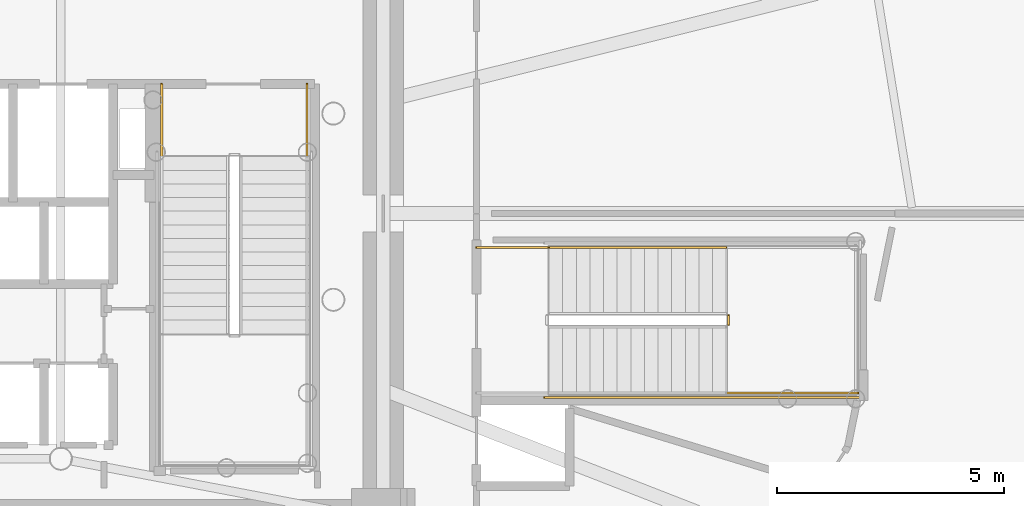
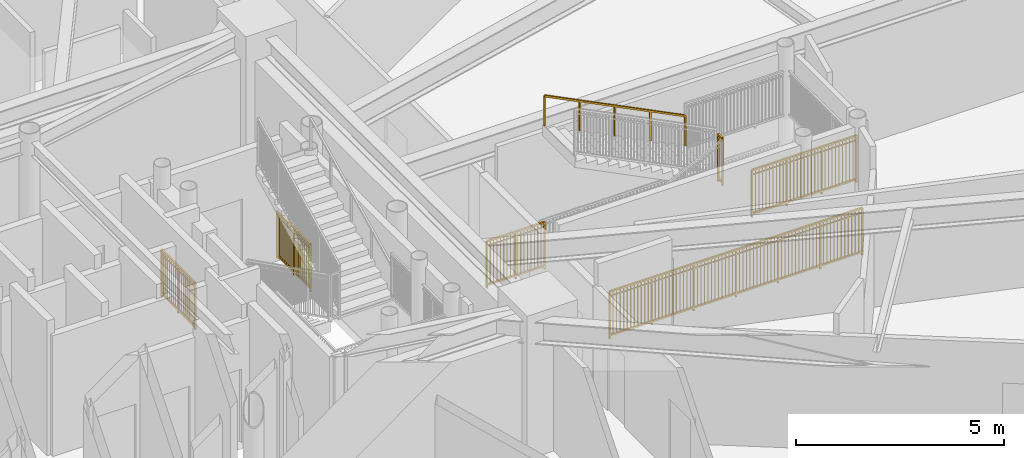
# One storey, part 27 of 29: 7 railings.
"""IFC4 building model written with IfcOpenShell, lengths in metres."""

from ifc_helpers import new_model, si_unit, direction, frame, origin, origin_2d, place, context, subcontext, project, spatial, rectangle, extrude, source, transform, mapped, material, type_object, element, save


model = new_model("IFC4")

# Units and contexts
model_context = context("Model", 3, precision=1e-05, world=origin(), true_north=direction((0.0, 1.0)))
body_context = subcontext(model_context, "Body", "Model", "MODEL_VIEW")
ifc_project = project(units=[si_unit("LENGTHUNIT", "METRE"), si_unit("AREAUNIT", "SQUARE_METRE"), si_unit("VOLUMEUNIT", "CUBIC_METRE"), si_unit("PLANEANGLEUNIT", "RADIAN"), si_unit("MASSUNIT", "GRAM", prefix="KILO")], contexts=[model_context])

# Site, building, storey
site_placement = place(None, origin())
site = spatial("IfcSite", under=ifc_project, at=site_placement, CompositionType="ELEMENT")
building_placement = place(site_placement, origin())
building = spatial("IfcBuilding", under=site, at=building_placement, Name="Linh Dai School and Residence Tower", CompositionType="ELEMENT")
storey_placement = place(building_placement, frame((0.0, 0.0, 45.0)))
storey = spatial("IfcBuildingStorey", under=building, at=storey_placement, Name="L10", CompositionType="ELEMENT", Elevation=45.0)

# Railings
ifc_material_1 = material(Name="Structural Steel S355JR", Category="steel")
railing_type_1 = type_object("IfcRailingType", Name="RL-ST-GUARD-1400", PredefinedType="GUARDRAIL", material=ifc_material_1)
shared_shape_1 = source(origin(), body_context, "Body", "SweptSolid", [
    extrude(rectangle(XDim=0.048095703125, YDim=0.048095703125, at=origin_2d()), frame((0.0, 0.0, 1.3759765625), z_axis=(0.0, -1.0, 0.0), x_axis=(1.0, 0.0, 0.0)), (0.0, 0.0, 1.0), 1.60009765625),
    extrude(rectangle(XDim=0.048095703125, YDim=0.048095703125, at=origin_2d()), frame((0.0, 0.0, 0.10009765625), z_axis=(0.0, -1.0, 0.0), x_axis=(1.0, 0.0, 0.0)), (0.0, 0.0, 1.0), 1.60009765625),
    extrude(rectangle(XDim=0.030029296875, YDim=0.030029296875, at=origin_2d()), frame((0.0, 0.0, 1.239990234375), z_axis=(0.0, -1.0, 0.0), x_axis=(1.0, 0.0, 0.0)), (0.0, 0.0, 1.0), 1.60009765625),
    extrude(rectangle(XDim=0.02001953125, YDim=0.02001953125, at=origin_2d()), frame((0.0, -0.09423828125, 0.10009765625)), (0.0, 0.0, 1.0), 1.251708984375),
    extrude(rectangle(XDim=0.02001953125, YDim=0.02001953125, at=origin_2d()), frame((0.0, -0.188232421875, 0.10009765625)), (0.0, 0.0, 1.0), 1.251708984375),
    extrude(rectangle(XDim=0.02001953125, YDim=0.02001953125, at=origin_2d()), frame((0.0, -0.282470703125, 0.10009765625)), (0.0, 0.0, 1.0), 1.251708984375),
    extrude(rectangle(XDim=0.02001953125, YDim=0.02001953125, at=origin_2d()), frame((0.0, -0.37646484375, 0.10009765625)), (0.0, 0.0, 1.0), 1.251708984375),
    extrude(rectangle(XDim=0.02001953125, YDim=0.02001953125, at=origin_2d()), frame((0.0, -0.470703125, 0.10009765625)), (0.0, 0.0, 1.0), 1.251708984375),
    extrude(rectangle(XDim=0.02001953125, YDim=0.02001953125, at=origin_2d()), frame((0.0, -0.564697265625, 0.10009765625)), (0.0, 0.0, 1.0), 1.251708984375),
    extrude(rectangle(XDim=0.02001953125, YDim=0.02001953125, at=origin_2d()), frame((0.0, -0.658935546875, 0.10009765625)), (0.0, 0.0, 1.0), 1.251708984375),
    extrude(rectangle(XDim=0.02001953125, YDim=0.02001953125, at=origin_2d()), frame((0.0, -0.7529296875, 0.10009765625)), (0.0, 0.0, 1.0), 1.251708984375),
    extrude(rectangle(XDim=0.02001953125, YDim=0.02001953125, at=origin_2d()), frame((0.0, -0.84716796875, 0.10009765625)), (0.0, 0.0, 1.0), 1.251708984375),
    extrude(rectangle(XDim=0.02001953125, YDim=0.02001953125, at=origin_2d()), frame((0.0, -0.941162109375, 0.10009765625)), (0.0, 0.0, 1.0), 1.251708984375),
    extrude(rectangle(XDim=0.02001953125, YDim=0.02001953125, at=origin_2d()), frame((0.0, -1.035400390625, 0.10009765625)), (0.0, 0.0, 1.0), 1.251708984375),
    extrude(rectangle(XDim=0.02001953125, YDim=0.02001953125, at=origin_2d()), frame((0.0, -1.12939453125, 0.10009765625)), (0.0, 0.0, 1.0), 1.251708984375),
    extrude(rectangle(XDim=0.02001953125, YDim=0.02001953125, at=origin_2d()), frame((0.0, -1.2236328125, 0.10009765625)), (0.0, 0.0, 1.0), 1.251708984375),
    extrude(rectangle(XDim=0.02001953125, YDim=0.02001953125, at=origin_2d()), frame((0.0, -1.317626953125, 0.10009765625)), (0.0, 0.0, 1.0), 1.251708984375),
    extrude(rectangle(XDim=0.02001953125, YDim=0.02001953125, at=origin_2d()), frame((0.0, -1.411865234375, 0.10009765625)), (0.0, 0.0, 1.0), 1.251708984375),
    extrude(rectangle(XDim=0.02001953125, YDim=0.02001953125, at=origin_2d()), frame((0.0, -1.505859375, 0.10009765625)), (0.0, 0.0, 1.0), 1.251708984375),
    extrude(rectangle(XDim=0.0419921875, YDim=0.0419921875, at=origin_2d()), origin(), (0.0, 0.0, 1.0), 1.3759765625),
    extrude(rectangle(XDim=0.0419921875, YDim=0.0419921875, at=origin_2d()), frame((0.0, -0.800048828125, 0.0)), (0.0, 0.0, 1.0), 1.3759765625),
    extrude(rectangle(XDim=0.0419921875, YDim=0.0419921875, at=origin_2d()), frame((0.0, -1.60009765625, 0.0)), (0.0, 0.0, 1.0), 1.3759765625),
])
for number, where, name in (
    (1, (41.070068359375, 29.85009765625, 0.0), "L10 ST2 stair guard 8"),
    (2, (44.27001953125, 29.85009765625, 0.0), "L10 ST2 stair guard 9"),
):
    element("IfcRailing", number, at=place(storey_placement, frame(where)), inside=storey, type_object=railing_type_1, Name=name, PredefinedType="GUARDRAIL", context=body_context, shape_type="MappedRepresentation", body=[
        mapped(shared_shape_1, transform((0.0, 0.0, 0.0), x_axis=(1.0, 0.0, 0.0), y_axis=(0.0, 1.0, 0.0), z_axis=(0.0, 0.0, 1.0), scale=1.0)),
    ])
ifc_material_2 = material(Name="Brushed Stainless Steel Handrail", Category="steel")
railing_type_2 = type_object("IfcRailingType", Name="RL-ST-HANDRAIL-900", PredefinedType="HANDRAIL", material=ifc_material_2)
shared_shape_2 = source(origin(), body_context, "Body", "SweptSolid", [
    extrude(rectangle(XDim=0.048095703125, YDim=0.048095703125, at=origin_2d()), frame((0.0, 0.0, 0.8759765625), z_axis=(-0.894427191, 0.0, 0.4472135955), x_axis=(0.0, -1.0, 0.0)), (0.0, 0.0, 1.0), 4.360107421875),
    extrude(rectangle(XDim=0.0419921875, YDim=0.0419921875, at=origin_2d()), origin(), (0.0, 0.0, 1.0), 0.8759765625),
    extrude(rectangle(XDim=0.0419921875, YDim=0.0419921875, at=origin_2d()), frame((-0.97509765625, 0.0, 0.487548828125)), (0.0, 0.0, 1.0), 0.8759765625),
    extrude(rectangle(XDim=0.0419921875, YDim=0.0419921875, at=origin_2d()), frame((-1.949951171875, 0.0, 0.97509765625)), (0.0, 0.0, 1.0), 0.8759765625),
    extrude(rectangle(XDim=0.0419921875, YDim=0.0419921875, at=origin_2d()), frame((-2.9248046875, 0.0, 1.46240234375)), (0.0, 0.0, 1.0), 0.8759765625),
    extrude(rectangle(XDim=0.0419921875, YDim=0.0419921875, at=origin_2d()), frame((-3.89990234375, 0.0, 1.949951171875)), (0.0, 0.0, 1.0), 0.8759765625),
])
railing_1_placement = place(storey_placement, frame((53.5, 26.25, 2.25)))
element("IfcRailing", 3, at=railing_1_placement, inside=storey, type_object=railing_type_2, Name="L10 STS2 stair handrail 2", PredefinedType="HANDRAIL", context=body_context, shape_type="MappedRepresentation", body=[
    mapped(shared_shape_2, transform((0.0, 0.0, 0.0), x_axis=(1.0, 0.0, 0.0), y_axis=(0.0, 1.0, 0.0), z_axis=(0.0, 0.0, 1.0), scale=1.0)),
])
shared_shape_3 = source(origin(), body_context, "Body", "SweptSolid", [
    extrude(rectangle(XDim=0.048095703125, YDim=0.048095703125, at=origin_2d()), frame((0.0, 0.0, 1.3759765625), z_axis=(0.0, 1.0, 0.0), x_axis=(-1.0, 0.0, 0.0)), (0.0, 0.0, 1.0), 0.199951171875),
    extrude(rectangle(XDim=0.048095703125, YDim=0.048095703125, at=origin_2d()), frame((0.0, 0.0, 0.10009765625), z_axis=(0.0, 1.0, 0.0), x_axis=(-1.0, 0.0, 0.0)), (0.0, 0.0, 1.0), 0.199951171875),
    extrude(rectangle(XDim=0.030029296875, YDim=0.030029296875, at=origin_2d()), frame((0.0, 0.0, 1.239990234375), z_axis=(0.0, 1.0, 0.0), x_axis=(-1.0, 0.0, 0.0)), (0.0, 0.0, 1.0), 0.199951171875),
    extrude(rectangle(XDim=0.0419921875, YDim=0.0419921875, at=origin_2d()), origin(), (0.0, 0.0, 1.0), 1.3759765625),
    extrude(rectangle(XDim=0.0419921875, YDim=0.0419921875, at=origin_2d()), frame((0.0, 0.199951171875, 0.0)), (0.0, 0.0, 1.0), 1.3759765625),
])
railing_2_placement = place(storey_placement, frame((53.550048828125, 24.550048828125, 2.10009765625)))
element("IfcRailing", 4, at=railing_2_placement, inside=storey, type_object=railing_type_1, Name="L10 STS2 stair guard 2", PredefinedType="GUARDRAIL", context=body_context, shape_type="MappedRepresentation", body=[
    mapped(shared_shape_3, transform((0.0, 0.0, 0.0), x_axis=(1.0, 0.0, 0.0), y_axis=(0.0, 1.0, 0.0), z_axis=(0.0, 0.0, 1.0), scale=1.0)),
])
shared_shape_4 = source(origin(), body_context, "Body", "SweptSolid", [
    extrude(rectangle(XDim=0.048095703125, YDim=0.048095703125, at=origin_2d()), frame((0.0, 0.0, 1.3759765625), z_axis=(1.0, 0.0, 0.0), x_axis=(0.0, 1.0, 0.0)), (0.0, 0.0, 1.0), 1.60009765625),
    extrude(rectangle(XDim=0.048095703125, YDim=0.048095703125, at=origin_2d()), frame((0.0, 0.0, 0.10009765625), z_axis=(1.0, 0.0, 0.0), x_axis=(0.0, 1.0, 0.0)), (0.0, 0.0, 1.0), 1.60009765625),
    extrude(rectangle(XDim=0.030029296875, YDim=0.030029296875, at=origin_2d()), frame((0.0, 0.0, 1.239990234375), z_axis=(1.0, 0.0, 0.0), x_axis=(0.0, 1.0, 0.0)), (0.0, 0.0, 1.0), 1.60009765625),
    extrude(rectangle(XDim=0.02001953125, YDim=0.02001953125, at=origin_2d()), frame((0.09423828125, 0.0, 0.10009765625)), (0.0, 0.0, 1.0), 1.251708984375),
    extrude(rectangle(XDim=0.02001953125, YDim=0.02001953125, at=origin_2d()), frame((0.188232421875, 0.0, 0.10009765625)), (0.0, 0.0, 1.0), 1.251708984375),
    extrude(rectangle(XDim=0.02001953125, YDim=0.02001953125, at=origin_2d()), frame((0.282470703125, 0.0, 0.10009765625)), (0.0, 0.0, 1.0), 1.251708984375),
    extrude(rectangle(XDim=0.02001953125, YDim=0.02001953125, at=origin_2d()), frame((0.37646484375, 0.0, 0.10009765625)), (0.0, 0.0, 1.0), 1.251708984375),
    extrude(rectangle(XDim=0.02001953125, YDim=0.02001953125, at=origin_2d()), frame((0.470703125, 0.0, 0.10009765625)), (0.0, 0.0, 1.0), 1.251708984375),
    extrude(rectangle(XDim=0.02001953125, YDim=0.02001953125, at=origin_2d()), frame((0.564697265625, 0.0, 0.10009765625)), (0.0, 0.0, 1.0), 1.251708984375),
    extrude(rectangle(XDim=0.02001953125, YDim=0.02001953125, at=origin_2d()), frame((0.658935546875, 0.0, 0.10009765625)), (0.0, 0.0, 1.0), 1.251708984375),
    extrude(rectangle(XDim=0.02001953125, YDim=0.02001953125, at=origin_2d()), frame((0.7529296875, 0.0, 0.10009765625)), (0.0, 0.0, 1.0), 1.251708984375),
    extrude(rectangle(XDim=0.02001953125, YDim=0.02001953125, at=origin_2d()), frame((0.84716796875, 0.0, 0.10009765625)), (0.0, 0.0, 1.0), 1.251708984375),
    extrude(rectangle(XDim=0.02001953125, YDim=0.02001953125, at=origin_2d()), frame((0.941162109375, 0.0, 0.10009765625)), (0.0, 0.0, 1.0), 1.251708984375),
    extrude(rectangle(XDim=0.02001953125, YDim=0.02001953125, at=origin_2d()), frame((1.035400390625, 0.0, 0.10009765625)), (0.0, 0.0, 1.0), 1.251708984375),
    extrude(rectangle(XDim=0.02001953125, YDim=0.02001953125, at=origin_2d()), frame((1.12939453125, 0.0, 0.10009765625)), (0.0, 0.0, 1.0), 1.251708984375),
    extrude(rectangle(XDim=0.02001953125, YDim=0.02001953125, at=origin_2d()), frame((1.2236328125, 0.0, 0.10009765625)), (0.0, 0.0, 1.0), 1.251708984375),
    extrude(rectangle(XDim=0.02001953125, YDim=0.02001953125, at=origin_2d()), frame((1.317626953125, 0.0, 0.10009765625)), (0.0, 0.0, 1.0), 1.251708984375),
    extrude(rectangle(XDim=0.02001953125, YDim=0.02001953125, at=origin_2d()), frame((1.411865234375, 0.0, 0.10009765625)), (0.0, 0.0, 1.0), 1.251708984375),
    extrude(rectangle(XDim=0.02001953125, YDim=0.02001953125, at=origin_2d()), frame((1.505859375, 0.0, 0.10009765625)), (0.0, 0.0, 1.0), 1.251708984375),
    extrude(rectangle(XDim=0.0419921875, YDim=0.0419921875, at=origin_2d()), origin(), (0.0, 0.0, 1.0), 1.3759765625),
    extrude(rectangle(XDim=0.0419921875, YDim=0.0419921875, at=origin_2d()), frame((0.800048828125, 0.0, 0.0)), (0.0, 0.0, 1.0), 1.3759765625),
    extrude(rectangle(XDim=0.0419921875, YDim=0.0419921875, at=origin_2d()), frame((1.60009765625, 0.0, 0.0)), (0.0, 0.0, 1.0), 1.3759765625),
])
railing_3_placement = place(storey_placement, frame((48.0, 26.25, 0.0)))
element("IfcRailing", 5, at=railing_3_placement, inside=storey, type_object=railing_type_1, Name="L10 STS2 stair guard 9", PredefinedType="GUARDRAIL", context=body_context, shape_type="MappedRepresentation", body=[
    mapped(shared_shape_4, transform((0.0, 0.0, 0.0), x_axis=(1.0, 0.0, 0.0), y_axis=(0.0, 1.0, 0.0), z_axis=(0.0, 0.0, 1.0), scale=1.0)),
])
shared_shape_5 = source(origin(), body_context, "Body", "SweptSolid", [
    extrude(rectangle(XDim=0.048095703125, YDim=0.048095703125, at=origin_2d()), frame((0.0, 0.0, 1.3759765625), z_axis=(1.0, 0.0, 0.0), x_axis=(0.0, 1.0, 0.0)), (0.0, 0.0, 1.0), 2.89990234375),
    extrude(rectangle(XDim=0.048095703125, YDim=0.048095703125, at=origin_2d()), frame((0.0, 0.0, 0.10009765625), z_axis=(1.0, 0.0, 0.0), x_axis=(0.0, 1.0, 0.0)), (0.0, 0.0, 1.0), 2.89990234375),
    extrude(rectangle(XDim=0.030029296875, YDim=0.030029296875, at=origin_2d()), frame((0.0, 0.0, 1.239990234375), z_axis=(1.0, 0.0, 0.0), x_axis=(0.0, 1.0, 0.0)), (0.0, 0.0, 1.0), 2.89990234375),
    extrude(rectangle(XDim=0.02001953125, YDim=0.02001953125, at=origin_2d()), frame((0.0966796875, 0.0, 0.10009765625)), (0.0, 0.0, 1.0), 1.251708984375),
    extrude(rectangle(XDim=0.02001953125, YDim=0.02001953125, at=origin_2d()), frame((0.193359375, 0.0, 0.10009765625)), (0.0, 0.0, 1.0), 1.251708984375),
    extrude(rectangle(XDim=0.02001953125, YDim=0.02001953125, at=origin_2d()), frame((0.2900390625, 0.0, 0.10009765625)), (0.0, 0.0, 1.0), 1.251708984375),
    extrude(rectangle(XDim=0.02001953125, YDim=0.02001953125, at=origin_2d()), frame((0.38671875, 0.0, 0.10009765625)), (0.0, 0.0, 1.0), 1.251708984375),
    extrude(rectangle(XDim=0.02001953125, YDim=0.02001953125, at=origin_2d()), frame((0.4833984375, 0.0, 0.10009765625)), (0.0, 0.0, 1.0), 1.251708984375),
    extrude(rectangle(XDim=0.02001953125, YDim=0.02001953125, at=origin_2d()), frame((0.580078125, 0.0, 0.10009765625)), (0.0, 0.0, 1.0), 1.251708984375),
    extrude(rectangle(XDim=0.02001953125, YDim=0.02001953125, at=origin_2d()), frame((0.6767578125, 0.0, 0.10009765625)), (0.0, 0.0, 1.0), 1.251708984375),
    extrude(rectangle(XDim=0.02001953125, YDim=0.02001953125, at=origin_2d()), frame((0.773193359375, 0.0, 0.10009765625)), (0.0, 0.0, 1.0), 1.251708984375),
    extrude(rectangle(XDim=0.02001953125, YDim=0.02001953125, at=origin_2d()), frame((0.869873046875, 0.0, 0.10009765625)), (0.0, 0.0, 1.0), 1.251708984375),
    extrude(rectangle(XDim=0.02001953125, YDim=0.02001953125, at=origin_2d()), frame((1.063232421875, 0.0, 0.10009765625)), (0.0, 0.0, 1.0), 1.251708984375),
    extrude(rectangle(XDim=0.02001953125, YDim=0.02001953125, at=origin_2d()), frame((1.159912109375, 0.0, 0.10009765625)), (0.0, 0.0, 1.0), 1.251708984375),
    extrude(rectangle(XDim=0.02001953125, YDim=0.02001953125, at=origin_2d()), frame((1.256591796875, 0.0, 0.10009765625)), (0.0, 0.0, 1.0), 1.251708984375),
    extrude(rectangle(XDim=0.02001953125, YDim=0.02001953125, at=origin_2d()), frame((1.353271484375, 0.0, 0.10009765625)), (0.0, 0.0, 1.0), 1.251708984375),
    extrude(rectangle(XDim=0.02001953125, YDim=0.02001953125, at=origin_2d()), frame((1.449951171875, 0.0, 0.10009765625)), (0.0, 0.0, 1.0), 1.251708984375),
    extrude(rectangle(XDim=0.02001953125, YDim=0.02001953125, at=origin_2d()), frame((1.546630859375, 0.0, 0.10009765625)), (0.0, 0.0, 1.0), 1.251708984375),
    extrude(rectangle(XDim=0.02001953125, YDim=0.02001953125, at=origin_2d()), frame((1.643310546875, 0.0, 0.10009765625)), (0.0, 0.0, 1.0), 1.251708984375),
    extrude(rectangle(XDim=0.02001953125, YDim=0.02001953125, at=origin_2d()), frame((1.739990234375, 0.0, 0.10009765625)), (0.0, 0.0, 1.0), 1.251708984375),
    extrude(rectangle(XDim=0.02001953125, YDim=0.02001953125, at=origin_2d()), frame((1.836669921875, 0.0, 0.10009765625)), (0.0, 0.0, 1.0), 1.251708984375),
    extrude(rectangle(XDim=0.02001953125, YDim=0.02001953125, at=origin_2d()), frame((2.030029296875, 0.0, 0.10009765625)), (0.0, 0.0, 1.0), 1.251708984375),
    extrude(rectangle(XDim=0.02001953125, YDim=0.02001953125, at=origin_2d()), frame((2.126708984375, 0.0, 0.10009765625)), (0.0, 0.0, 1.0), 1.251708984375),
    extrude(rectangle(XDim=0.02001953125, YDim=0.02001953125, at=origin_2d()), frame((2.22314453125, 0.0, 0.10009765625)), (0.0, 0.0, 1.0), 1.251708984375),
    extrude(rectangle(XDim=0.02001953125, YDim=0.02001953125, at=origin_2d()), frame((2.31982421875, 0.0, 0.10009765625)), (0.0, 0.0, 1.0), 1.251708984375),
    extrude(rectangle(XDim=0.02001953125, YDim=0.02001953125, at=origin_2d()), frame((2.41650390625, 0.0, 0.10009765625)), (0.0, 0.0, 1.0), 1.251708984375),
    extrude(rectangle(XDim=0.02001953125, YDim=0.02001953125, at=origin_2d()), frame((2.51318359375, 0.0, 0.10009765625)), (0.0, 0.0, 1.0), 1.251708984375),
    extrude(rectangle(XDim=0.02001953125, YDim=0.02001953125, at=origin_2d()), frame((2.60986328125, 0.0, 0.10009765625)), (0.0, 0.0, 1.0), 1.251708984375),
    extrude(rectangle(XDim=0.02001953125, YDim=0.02001953125, at=origin_2d()), frame((2.70654296875, 0.0, 0.10009765625)), (0.0, 0.0, 1.0), 1.251708984375),
    extrude(rectangle(XDim=0.02001953125, YDim=0.02001953125, at=origin_2d()), frame((2.80322265625, 0.0, 0.10009765625)), (0.0, 0.0, 1.0), 1.251708984375),
    extrude(rectangle(XDim=0.0419921875, YDim=0.0419921875, at=origin_2d()), origin(), (0.0, 0.0, 1.0), 1.3759765625),
    extrude(rectangle(XDim=0.0419921875, YDim=0.0419921875, at=origin_2d()), frame((0.966552734375, 0.0, 0.0)), (0.0, 0.0, 1.0), 1.3759765625),
    extrude(rectangle(XDim=0.0419921875, YDim=0.0419921875, at=origin_2d()), frame((1.933349609375, 0.0, 0.0)), (0.0, 0.0, 1.0), 1.3759765625),
    extrude(rectangle(XDim=0.0419921875, YDim=0.0419921875, at=origin_2d()), frame((2.89990234375, 0.0, 0.0)), (0.0, 0.0, 1.0), 1.3759765625),
])
railing_4_placement = place(storey_placement, frame((53.5, 23.050048828125, 2.10009765625)))
element("IfcRailing", 6, at=railing_4_placement, inside=storey, type_object=railing_type_1, Name="L10 STS2 stair guard 3", PredefinedType="GUARDRAIL", context=body_context, shape_type="MappedRepresentation", body=[
    mapped(shared_shape_5, transform((0.0, 0.0, 0.0), x_axis=(1.0, 0.0, 0.0), y_axis=(0.0, 1.0, 0.0), z_axis=(0.0, 0.0, 1.0), scale=1.0)),
])
shared_shape_6 = source(origin(), body_context, "Body", "SweptSolid", [
    extrude(rectangle(XDim=0.048095703125, YDim=0.048095703125, at=origin_2d()), frame((0.0, 0.0, 1.3759765625), z_axis=(1.0, 0.0, 0.0), x_axis=(0.0, 1.0, 0.0)), (0.0, 0.0, 1.0), 7.0),
    extrude(rectangle(XDim=0.048095703125, YDim=0.048095703125, at=origin_2d()), frame((0.0, 0.0, 0.10009765625), z_axis=(1.0, 0.0, 0.0), x_axis=(0.0, 1.0, 0.0)), (0.0, 0.0, 1.0), 7.0),
    extrude(rectangle(XDim=0.030029296875, YDim=0.030029296875, at=origin_2d()), frame((0.0, 0.0, 1.239990234375), z_axis=(1.0, 0.0, 0.0), x_axis=(0.0, 1.0, 0.0)), (0.0, 0.0, 1.0), 7.0),
    extrude(rectangle(XDim=0.02001953125, YDim=0.02001953125, at=origin_2d()), frame((0.09716796875, 0.0, 0.10009765625)), (0.0, 0.0, 1.0), 1.251708984375),
    extrude(rectangle(XDim=0.02001953125, YDim=0.02001953125, at=origin_2d()), frame((0.1943359375, 0.0, 0.10009765625)), (0.0, 0.0, 1.0), 1.251708984375),
    extrude(rectangle(XDim=0.02001953125, YDim=0.02001953125, at=origin_2d()), frame((0.291748046875, 0.0, 0.10009765625)), (0.0, 0.0, 1.0), 1.251708984375),
    extrude(rectangle(XDim=0.02001953125, YDim=0.02001953125, at=origin_2d()), frame((0.388916015625, 0.0, 0.10009765625)), (0.0, 0.0, 1.0), 1.251708984375),
    extrude(rectangle(XDim=0.02001953125, YDim=0.02001953125, at=origin_2d()), frame((0.486083984375, 0.0, 0.10009765625)), (0.0, 0.0, 1.0), 1.251708984375),
    extrude(rectangle(XDim=0.02001953125, YDim=0.02001953125, at=origin_2d()), frame((0.583251953125, 0.0, 0.10009765625)), (0.0, 0.0, 1.0), 1.251708984375),
    extrude(rectangle(XDim=0.02001953125, YDim=0.02001953125, at=origin_2d()), frame((0.6806640625, 0.0, 0.10009765625)), (0.0, 0.0, 1.0), 1.251708984375),
    extrude(rectangle(XDim=0.02001953125, YDim=0.02001953125, at=origin_2d()), frame((0.77783203125, 0.0, 0.10009765625)), (0.0, 0.0, 1.0), 1.251708984375),
    extrude(rectangle(XDim=0.02001953125, YDim=0.02001953125, at=origin_2d()), frame((0.875, 0.0, 0.10009765625)), (0.0, 0.0, 1.0), 1.251708984375),
    extrude(rectangle(XDim=0.02001953125, YDim=0.02001953125, at=origin_2d()), frame((0.97216796875, 0.0, 0.10009765625)), (0.0, 0.0, 1.0), 1.251708984375),
    extrude(rectangle(XDim=0.02001953125, YDim=0.02001953125, at=origin_2d()), frame((1.0693359375, 0.0, 0.10009765625)), (0.0, 0.0, 1.0), 1.251708984375),
    extrude(rectangle(XDim=0.02001953125, YDim=0.02001953125, at=origin_2d()), frame((1.263916015625, 0.0, 0.10009765625)), (0.0, 0.0, 1.0), 1.251708984375),
    extrude(rectangle(XDim=0.02001953125, YDim=0.02001953125, at=origin_2d()), frame((1.361083984375, 0.0, 0.10009765625)), (0.0, 0.0, 1.0), 1.251708984375),
    extrude(rectangle(XDim=0.02001953125, YDim=0.02001953125, at=origin_2d()), frame((1.458251953125, 0.0, 0.10009765625)), (0.0, 0.0, 1.0), 1.251708984375),
    extrude(rectangle(XDim=0.02001953125, YDim=0.02001953125, at=origin_2d()), frame((1.5556640625, 0.0, 0.10009765625)), (0.0, 0.0, 1.0), 1.251708984375),
    extrude(rectangle(XDim=0.02001953125, YDim=0.02001953125, at=origin_2d()), frame((1.65283203125, 0.0, 0.10009765625)), (0.0, 0.0, 1.0), 1.251708984375),
    extrude(rectangle(XDim=0.02001953125, YDim=0.02001953125, at=origin_2d()), frame((1.75, 0.0, 0.10009765625)), (0.0, 0.0, 1.0), 1.251708984375),
    extrude(rectangle(XDim=0.02001953125, YDim=0.02001953125, at=origin_2d()), frame((1.84716796875, 0.0, 0.10009765625)), (0.0, 0.0, 1.0), 1.251708984375),
    extrude(rectangle(XDim=0.02001953125, YDim=0.02001953125, at=origin_2d()), frame((1.9443359375, 0.0, 0.10009765625)), (0.0, 0.0, 1.0), 1.251708984375),
    extrude(rectangle(XDim=0.02001953125, YDim=0.02001953125, at=origin_2d()), frame((2.041748046875, 0.0, 0.10009765625)), (0.0, 0.0, 1.0), 1.251708984375),
    extrude(rectangle(XDim=0.02001953125, YDim=0.02001953125, at=origin_2d()), frame((2.138916015625, 0.0, 0.10009765625)), (0.0, 0.0, 1.0), 1.251708984375),
    extrude(rectangle(XDim=0.02001953125, YDim=0.02001953125, at=origin_2d()), frame((2.236083984375, 0.0, 0.10009765625)), (0.0, 0.0, 1.0), 1.251708984375),
    extrude(rectangle(XDim=0.02001953125, YDim=0.02001953125, at=origin_2d()), frame((2.4306640625, 0.0, 0.10009765625)), (0.0, 0.0, 1.0), 1.251708984375),
    extrude(rectangle(XDim=0.02001953125, YDim=0.02001953125, at=origin_2d()), frame((2.52783203125, 0.0, 0.10009765625)), (0.0, 0.0, 1.0), 1.251708984375),
    extrude(rectangle(XDim=0.02001953125, YDim=0.02001953125, at=origin_2d()), frame((2.625, 0.0, 0.10009765625)), (0.0, 0.0, 1.0), 1.251708984375),
    extrude(rectangle(XDim=0.02001953125, YDim=0.02001953125, at=origin_2d()), frame((2.72216796875, 0.0, 0.10009765625)), (0.0, 0.0, 1.0), 1.251708984375),
    extrude(rectangle(XDim=0.02001953125, YDim=0.02001953125, at=origin_2d()), frame((2.8193359375, 0.0, 0.10009765625)), (0.0, 0.0, 1.0), 1.251708984375),
    extrude(rectangle(XDim=0.02001953125, YDim=0.02001953125, at=origin_2d()), frame((2.916748046875, 0.0, 0.10009765625)), (0.0, 0.0, 1.0), 1.251708984375),
    extrude(rectangle(XDim=0.02001953125, YDim=0.02001953125, at=origin_2d()), frame((3.013916015625, 0.0, 0.10009765625)), (0.0, 0.0, 1.0), 1.251708984375),
    extrude(rectangle(XDim=0.02001953125, YDim=0.02001953125, at=origin_2d()), frame((3.111083984375, 0.0, 0.10009765625)), (0.0, 0.0, 1.0), 1.251708984375),
    extrude(rectangle(XDim=0.02001953125, YDim=0.02001953125, at=origin_2d()), frame((3.208251953125, 0.0, 0.10009765625)), (0.0, 0.0, 1.0), 1.251708984375),
    extrude(rectangle(XDim=0.02001953125, YDim=0.02001953125, at=origin_2d()), frame((3.3056640625, 0.0, 0.10009765625)), (0.0, 0.0, 1.0), 1.251708984375),
    extrude(rectangle(XDim=0.02001953125, YDim=0.02001953125, at=origin_2d()), frame((3.40283203125, 0.0, 0.10009765625)), (0.0, 0.0, 1.0), 1.251708984375),
    extrude(rectangle(XDim=0.02001953125, YDim=0.02001953125, at=origin_2d()), frame((3.59716796875, 0.0, 0.10009765625)), (0.0, 0.0, 1.0), 1.251708984375),
    extrude(rectangle(XDim=0.02001953125, YDim=0.02001953125, at=origin_2d()), frame((3.6943359375, 0.0, 0.10009765625)), (0.0, 0.0, 1.0), 1.251708984375),
    extrude(rectangle(XDim=0.02001953125, YDim=0.02001953125, at=origin_2d()), frame((3.791748046875, 0.0, 0.10009765625)), (0.0, 0.0, 1.0), 1.251708984375),
    extrude(rectangle(XDim=0.02001953125, YDim=0.02001953125, at=origin_2d()), frame((3.888916015625, 0.0, 0.10009765625)), (0.0, 0.0, 1.0), 1.251708984375),
    extrude(rectangle(XDim=0.02001953125, YDim=0.02001953125, at=origin_2d()), frame((3.986083984375, 0.0, 0.10009765625)), (0.0, 0.0, 1.0), 1.251708984375),
    extrude(rectangle(XDim=0.02001953125, YDim=0.02001953125, at=origin_2d()), frame((4.083251953125, 0.0, 0.10009765625)), (0.0, 0.0, 1.0), 1.251708984375),
    extrude(rectangle(XDim=0.02001953125, YDim=0.02001953125, at=origin_2d()), frame((4.1806640625, 0.0, 0.10009765625)), (0.0, 0.0, 1.0), 1.251708984375),
    extrude(rectangle(XDim=0.02001953125, YDim=0.02001953125, at=origin_2d()), frame((4.27783203125, 0.0, 0.10009765625)), (0.0, 0.0, 1.0), 1.251708984375),
    extrude(rectangle(XDim=0.02001953125, YDim=0.02001953125, at=origin_2d()), frame((4.375, 0.0, 0.10009765625)), (0.0, 0.0, 1.0), 1.251708984375),
    extrude(rectangle(XDim=0.02001953125, YDim=0.02001953125, at=origin_2d()), frame((4.47216796875, 0.0, 0.10009765625)), (0.0, 0.0, 1.0), 1.251708984375),
    extrude(rectangle(XDim=0.02001953125, YDim=0.02001953125, at=origin_2d()), frame((4.5693359375, 0.0, 0.10009765625)), (0.0, 0.0, 1.0), 1.251708984375),
    extrude(rectangle(XDim=0.02001953125, YDim=0.02001953125, at=origin_2d()), frame((4.763916015625, 0.0, 0.10009765625)), (0.0, 0.0, 1.0), 1.251708984375),
    extrude(rectangle(XDim=0.02001953125, YDim=0.02001953125, at=origin_2d()), frame((4.861083984375, 0.0, 0.10009765625)), (0.0, 0.0, 1.0), 1.251708984375),
    extrude(rectangle(XDim=0.02001953125, YDim=0.02001953125, at=origin_2d()), frame((4.958251953125, 0.0, 0.10009765625)), (0.0, 0.0, 1.0), 1.251708984375),
    extrude(rectangle(XDim=0.02001953125, YDim=0.02001953125, at=origin_2d()), frame((5.0556640625, 0.0, 0.10009765625)), (0.0, 0.0, 1.0), 1.251708984375),
    extrude(rectangle(XDim=0.02001953125, YDim=0.02001953125, at=origin_2d()), frame((5.15283203125, 0.0, 0.10009765625)), (0.0, 0.0, 1.0), 1.251708984375),
    extrude(rectangle(XDim=0.02001953125, YDim=0.02001953125, at=origin_2d()), frame((5.25, 0.0, 0.10009765625)), (0.0, 0.0, 1.0), 1.251708984375),
    extrude(rectangle(XDim=0.02001953125, YDim=0.02001953125, at=origin_2d()), frame((5.34716796875, 0.0, 0.10009765625)), (0.0, 0.0, 1.0), 1.251708984375),
    extrude(rectangle(XDim=0.02001953125, YDim=0.02001953125, at=origin_2d()), frame((5.4443359375, 0.0, 0.10009765625)), (0.0, 0.0, 1.0), 1.251708984375),
    extrude(rectangle(XDim=0.02001953125, YDim=0.02001953125, at=origin_2d()), frame((5.541748046875, 0.0, 0.10009765625)), (0.0, 0.0, 1.0), 1.251708984375),
    extrude(rectangle(XDim=0.02001953125, YDim=0.02001953125, at=origin_2d()), frame((5.638916015625, 0.0, 0.10009765625)), (0.0, 0.0, 1.0), 1.251708984375),
    extrude(rectangle(XDim=0.02001953125, YDim=0.02001953125, at=origin_2d()), frame((5.736083984375, 0.0, 0.10009765625)), (0.0, 0.0, 1.0), 1.251708984375),
    extrude(rectangle(XDim=0.02001953125, YDim=0.02001953125, at=origin_2d()), frame((5.9306640625, 0.0, 0.10009765625)), (0.0, 0.0, 1.0), 1.251708984375),
    extrude(rectangle(XDim=0.02001953125, YDim=0.02001953125, at=origin_2d()), frame((6.02783203125, 0.0, 0.10009765625)), (0.0, 0.0, 1.0), 1.251708984375),
    extrude(rectangle(XDim=0.02001953125, YDim=0.02001953125, at=origin_2d()), frame((6.125, 0.0, 0.10009765625)), (0.0, 0.0, 1.0), 1.251708984375),
    extrude(rectangle(XDim=0.02001953125, YDim=0.02001953125, at=origin_2d()), frame((6.22216796875, 0.0, 0.10009765625)), (0.0, 0.0, 1.0), 1.251708984375),
    extrude(rectangle(XDim=0.02001953125, YDim=0.02001953125, at=origin_2d()), frame((6.3193359375, 0.0, 0.10009765625)), (0.0, 0.0, 1.0), 1.251708984375),
    extrude(rectangle(XDim=0.02001953125, YDim=0.02001953125, at=origin_2d()), frame((6.416748046875, 0.0, 0.10009765625)), (0.0, 0.0, 1.0), 1.251708984375),
    extrude(rectangle(XDim=0.02001953125, YDim=0.02001953125, at=origin_2d()), frame((6.513916015625, 0.0, 0.10009765625)), (0.0, 0.0, 1.0), 1.251708984375),
    extrude(rectangle(XDim=0.02001953125, YDim=0.02001953125, at=origin_2d()), frame((6.611083984375, 0.0, 0.10009765625)), (0.0, 0.0, 1.0), 1.251708984375),
    extrude(rectangle(XDim=0.02001953125, YDim=0.02001953125, at=origin_2d()), frame((6.708251953125, 0.0, 0.10009765625)), (0.0, 0.0, 1.0), 1.251708984375),
    extrude(rectangle(XDim=0.02001953125, YDim=0.02001953125, at=origin_2d()), frame((6.8056640625, 0.0, 0.10009765625)), (0.0, 0.0, 1.0), 1.251708984375),
    extrude(rectangle(XDim=0.02001953125, YDim=0.02001953125, at=origin_2d()), frame((6.90283203125, 0.0, 0.10009765625)), (0.0, 0.0, 1.0), 1.251708984375),
    extrude(rectangle(XDim=0.0419921875, YDim=0.0419921875, at=origin_2d()), origin(), (0.0, 0.0, 1.0), 1.3759765625),
    extrude(rectangle(XDim=0.0419921875, YDim=0.0419921875, at=origin_2d()), frame((1.166748046875, 0.0, 0.0)), (0.0, 0.0, 1.0), 1.3759765625),
    extrude(rectangle(XDim=0.0419921875, YDim=0.0419921875, at=origin_2d()), frame((2.333251953125, 0.0, 0.0)), (0.0, 0.0, 1.0), 1.3759765625),
    extrude(rectangle(XDim=0.0419921875, YDim=0.0419921875, at=origin_2d()), frame((3.5, 0.0, 0.0)), (0.0, 0.0, 1.0), 1.3759765625),
    extrude(rectangle(XDim=0.0419921875, YDim=0.0419921875, at=origin_2d()), frame((4.666748046875, 0.0, 0.0)), (0.0, 0.0, 1.0), 1.3759765625),
    extrude(rectangle(XDim=0.0419921875, YDim=0.0419921875, at=origin_2d()), frame((5.833251953125, 0.0, 0.0)), (0.0, 0.0, 1.0), 1.3759765625),
    extrude(rectangle(XDim=0.0419921875, YDim=0.0419921875, at=origin_2d()), frame((7.0, 0.0, 0.0)), (0.0, 0.0, 1.0), 1.3759765625),
])
railing_5_placement = place(storey_placement, frame((49.5, 22.949951171875, 0.0)))
element("IfcRailing", 7, at=railing_5_placement, inside=storey, type_object=railing_type_1, Name="L10 STS2 stair guard 10", PredefinedType="GUARDRAIL", context=body_context, shape_type="MappedRepresentation", body=[
    mapped(shared_shape_6, transform((0.0, 0.0, 0.0), x_axis=(1.0, 0.0, 0.0), y_axis=(0.0, 1.0, 0.0), z_axis=(0.0, 0.0, 1.0), scale=1.0)),
])

save(model, "model.ifc")
